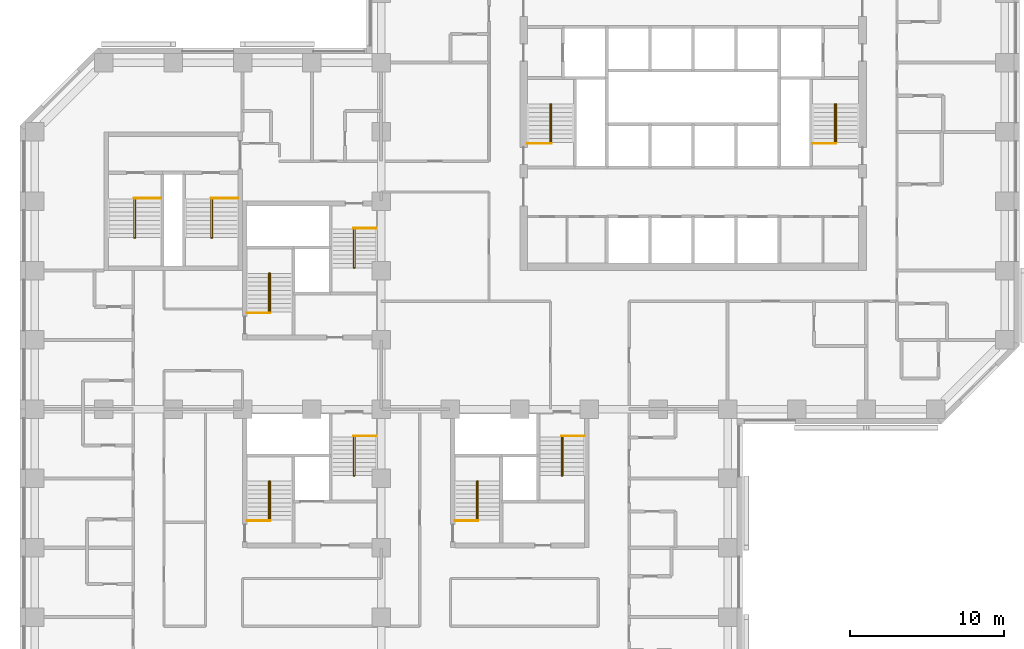
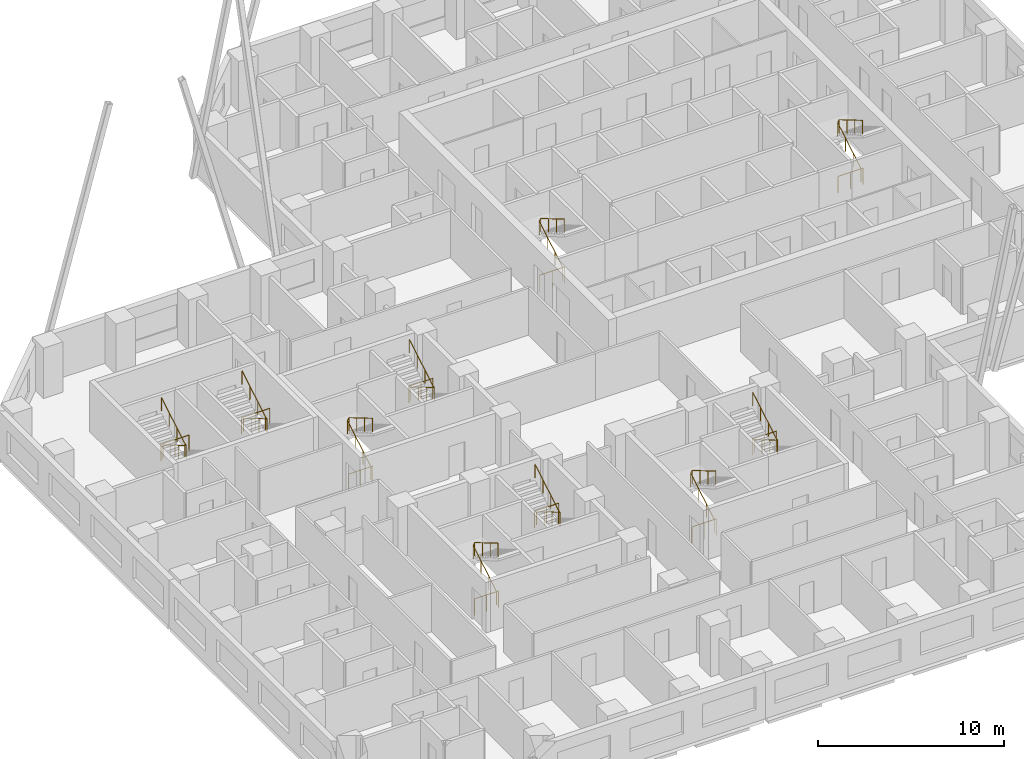
# One storey, part 14 of 14: 20 railings.
"""IFC4 building model written with IfcOpenShell, lengths in metres."""

from ifc_helpers import new_model, si_unit, direction, frame, origin, origin_2d, place, context, subcontext, project, spatial, circle, extrude, material, type_object, element, save


model = new_model("IFC4")

# Units and contexts
model_context = context("Model", 3, precision=1e-05, world=origin(), true_north=direction((0.0, 1.0)))
body_context = subcontext(model_context, "Body", "Model", "MODEL_VIEW")
ifc_project = project(units=[si_unit("LENGTHUNIT", "METRE"), si_unit("AREAUNIT", "SQUARE_METRE"), si_unit("VOLUMEUNIT", "CUBIC_METRE"), si_unit("PLANEANGLEUNIT", "RADIAN"), si_unit("MASSUNIT", "GRAM", prefix="KILO")], contexts=[model_context])

# Site, building, storey
site_placement = place(None, origin())
site = spatial("IfcSite", under=ifc_project, at=site_placement, CompositionType="ELEMENT")
building_placement = place(site_placement, origin())
building = spatial("IfcBuilding", under=site, at=building_placement, Name="Quoin Convention Tower", CompositionType="ELEMENT")
storey_placement = place(building_placement, frame((0.0, 0.0, 66.0)))
storey = spatial("IfcBuildingStorey", under=building, at=storey_placement, Name="L17", CompositionType="ELEMENT", Elevation=66.0)

# Railings
ifc_material = material(Name="Stainless steel", Category="steel")
railing_type_1 = type_object("IfcRailingType", Name="Stair handrail 900", PredefinedType="HANDRAIL", material=ifc_material)
for number, where, name in (
    (1, (46.955078125, 57.800048828125, 0.1650390625), "SD1 handrail 1"),
    (2, (65.455078125, 57.800048828125, 0.1650390625), "SD2 handrail 1"),
    (3, (28.705078125, 46.800048828125, 0.1650390625), "SD3 handrail 1"),
):
    element("IfcRailing", number, at=place(storey_placement, frame(where)), inside=storey, type_object=railing_type_1, Name=name, PredefinedType="HANDRAIL", context=body_context, shape_type="SweptSolid", body=[
        extrude(circle(Radius=0.02392578125, at=origin_2d()), frame((0.0, 0.0, 0.8759765625), z_axis=(0.0, 0.861560626758, 0.507654692109), x_axis=(-1.0, 0.0, 0.0)), (0.0, 0.0, 1.0), 2.925048828125),
        extrude(circle(Radius=0.02392578125, at=origin_2d()), frame((0.0, 2.52001953125, 2.36083984375), z_axis=(0.478123724308, 0.0, 0.878292493566), x_axis=(0.0, 1.0, 0.0)), (0.0, 0.0, 1.0), 0.18798828125),
        extrude(circle(Radius=0.02392578125, at=origin_2d()), frame((0.08984375, 2.52001953125, 2.52587890625), z_axis=(0.0, -0.86152411907, 0.507716645641), x_axis=(1.0, 0.0, 0.0)), (0.0, 0.0, 1.0), 2.925048828125),
        extrude(circle(Radius=0.02099609375, at=origin_2d()), origin(), (0.0, 0.0, 1.0), 0.851806640625),
        extrude(circle(Radius=0.02099609375, at=origin_2d()), frame((0.0, 0.840087890625, 0.494873046875)), (0.0, 0.0, 1.0), 0.851806640625),
        extrude(circle(Radius=0.02099609375, at=origin_2d()), frame((0.0, 1.679931640625, 0.989990234375)), (0.0, 0.0, 1.0), 0.851806640625),
        extrude(circle(Radius=0.02099609375, at=origin_2d()), frame((0.0, 2.52001953125, 1.48486328125)), (0.0, 0.0, 1.0), 0.851806640625),
        extrude(circle(Radius=0.02099609375, at=origin_2d()), frame((0.08984375, 2.52001953125, 1.64990234375)), (0.0, 0.0, 1.0), 0.851806640625),
        extrude(circle(Radius=0.02099609375, at=origin_2d()), frame((0.08984375, 1.679931640625, 2.14501953125)), (0.0, 0.0, 1.0), 0.851806640625),
        extrude(circle(Radius=0.02099609375, at=origin_2d()), frame((0.08984375, 0.840087890625, 2.639892578125)), (0.0, 0.0, 1.0), 0.851806640625),
        extrude(circle(Radius=0.02099609375, at=origin_2d()), frame((0.08984375, 0.0, 3.135009765625)), (0.0, 0.0, 1.0), 0.851806640625),
    ])
railing_1_placement = place(storey_placement, frame((34.294921875, 52.199951171875, 0.1650390625)))
element("IfcRailing", 4, at=railing_1_placement, inside=storey, type_object=railing_type_1, Name="SD4 handrail 1", PredefinedType="HANDRAIL", context=body_context, shape_type="SweptSolid", body=[
    extrude(circle(Radius=0.02392578125, at=origin_2d()), frame((0.0, 0.0, 0.8759765625), z_axis=(0.0, -0.861560626758, 0.507654692109), x_axis=(1.0, 0.0, 0.0)), (0.0, 0.0, 1.0), 2.925048828125),
    extrude(circle(Radius=0.02392578125, at=origin_2d()), frame((0.0, -2.52001953125, 2.36083984375), z_axis=(-0.478123724308, 0.0, 0.878292493566), x_axis=(0.0, -1.0, 0.0)), (0.0, 0.0, 1.0), 0.18798828125),
    extrude(circle(Radius=0.02392578125, at=origin_2d()), frame((-0.08984375, -2.52001953125, 2.52587890625), z_axis=(0.0, 0.86152411907, 0.507716645641), x_axis=(-1.0, 0.0, 0.0)), (0.0, 0.0, 1.0), 2.925048828125),
    extrude(circle(Radius=0.02099609375, at=origin_2d()), origin(), (0.0, 0.0, 1.0), 0.851806640625),
    extrude(circle(Radius=0.02099609375, at=origin_2d()), frame((0.0, -0.840087890625, 0.494873046875)), (0.0, 0.0, 1.0), 0.851806640625),
    extrude(circle(Radius=0.02099609375, at=origin_2d()), frame((0.0, -1.679931640625, 0.989990234375)), (0.0, 0.0, 1.0), 0.851806640625),
    extrude(circle(Radius=0.02099609375, at=origin_2d()), frame((0.0, -2.52001953125, 1.48486328125)), (0.0, 0.0, 1.0), 0.851806640625),
    extrude(circle(Radius=0.02099609375, at=origin_2d()), frame((-0.08984375, -2.52001953125, 1.64990234375)), (0.0, 0.0, 1.0), 0.851806640625),
    extrude(circle(Radius=0.02099609375, at=origin_2d()), frame((-0.08984375, -1.679931640625, 2.14501953125)), (0.0, 0.0, 1.0), 0.851806640625),
    extrude(circle(Radius=0.02099609375, at=origin_2d()), frame((-0.08984375, -0.840087890625, 2.639892578125)), (0.0, 0.0, 1.0), 0.851806640625),
    extrude(circle(Radius=0.02099609375, at=origin_2d()), frame((-0.08984375, 0.0, 3.135009765625)), (0.0, 0.0, 1.0), 0.851806640625),
])
railing_2_placement = place(storey_placement, frame((42.205078125, 33.300048828125, 0.1650390625)))
element("IfcRailing", 5, at=railing_2_placement, inside=storey, type_object=railing_type_1, Name="SD5 handrail 1", PredefinedType="HANDRAIL", context=body_context, shape_type="SweptSolid", body=[
    extrude(circle(Radius=0.02392578125, at=origin_2d()), frame((0.0, 0.0, 0.8759765625), z_axis=(0.0, 0.861560626758, 0.507654692109), x_axis=(-1.0, 0.0, 0.0)), (0.0, 0.0, 1.0), 2.925048828125),
    extrude(circle(Radius=0.02392578125, at=origin_2d()), frame((0.0, 2.52001953125, 2.36083984375), z_axis=(0.478123724308, 0.0, 0.878292493566), x_axis=(0.0, 1.0, 0.0)), (0.0, 0.0, 1.0), 0.18798828125),
    extrude(circle(Radius=0.02392578125, at=origin_2d()), frame((0.08984375, 2.52001953125, 2.52587890625), z_axis=(0.0, -0.86152411907, 0.507716645641), x_axis=(1.0, 0.0, 0.0)), (0.0, 0.0, 1.0), 2.925048828125),
    extrude(circle(Radius=0.02099609375, at=origin_2d()), origin(), (0.0, 0.0, 1.0), 0.851806640625),
    extrude(circle(Radius=0.02099609375, at=origin_2d()), frame((0.0, 0.840087890625, 0.494873046875)), (0.0, 0.0, 1.0), 0.851806640625),
    extrude(circle(Radius=0.02099609375, at=origin_2d()), frame((0.0, 1.679931640625, 0.989990234375)), (0.0, 0.0, 1.0), 0.851806640625),
    extrude(circle(Radius=0.02099609375, at=origin_2d()), frame((0.0, 2.52001953125, 1.48486328125)), (0.0, 0.0, 1.0), 0.851806640625),
    extrude(circle(Radius=0.02099609375, at=origin_2d()), frame((0.08984375, 2.52001953125, 1.64990234375)), (0.0, 0.0, 1.0), 0.851806640625),
    extrude(circle(Radius=0.02099609375, at=origin_2d()), frame((0.08984375, 1.679931640625, 2.14501953125)), (0.0, 0.0, 1.0), 0.851806640625),
    extrude(circle(Radius=0.02099609375, at=origin_2d()), frame((0.08984375, 0.840087890625, 2.639892578125)), (0.0, 0.0, 1.0), 0.851806640625),
    extrude(circle(Radius=0.02099609375, at=origin_2d()), frame((0.08984375, 0.0, 3.135009765625)), (0.0, 0.0, 1.0), 0.851806640625),
])
railing_3_placement = place(storey_placement, frame((47.794921875, 38.699951171875, 0.1650390625)))
element("IfcRailing", 6, at=railing_3_placement, inside=storey, type_object=railing_type_1, Name="SD6 handrail 1", PredefinedType="HANDRAIL", context=body_context, shape_type="SweptSolid", body=[
    extrude(circle(Radius=0.02392578125, at=origin_2d()), frame((0.0, 0.0, 0.8759765625), z_axis=(0.0, -0.861560626758, 0.507654692109), x_axis=(1.0, 0.0, 0.0)), (0.0, 0.0, 1.0), 2.925048828125),
    extrude(circle(Radius=0.02392578125, at=origin_2d()), frame((0.0, -2.52001953125, 2.36083984375), z_axis=(-0.478123724308, 0.0, 0.878292493566), x_axis=(0.0, -1.0, 0.0)), (0.0, 0.0, 1.0), 0.18798828125),
    extrude(circle(Radius=0.02392578125, at=origin_2d()), frame((-0.08984375, -2.52001953125, 2.52587890625), z_axis=(0.0, 0.86152411907, 0.507716645641), x_axis=(-1.0, 0.0, 0.0)), (0.0, 0.0, 1.0), 2.925048828125),
    extrude(circle(Radius=0.02099609375, at=origin_2d()), origin(), (0.0, 0.0, 1.0), 0.851806640625),
    extrude(circle(Radius=0.02099609375, at=origin_2d()), frame((0.0, -0.840087890625, 0.494873046875)), (0.0, 0.0, 1.0), 0.851806640625),
    extrude(circle(Radius=0.02099609375, at=origin_2d()), frame((0.0, -1.679931640625, 0.989990234375)), (0.0, 0.0, 1.0), 0.851806640625),
    extrude(circle(Radius=0.02099609375, at=origin_2d()), frame((0.0, -2.52001953125, 1.48486328125)), (0.0, 0.0, 1.0), 0.851806640625),
    extrude(circle(Radius=0.02099609375, at=origin_2d()), frame((-0.08984375, -2.52001953125, 1.64990234375)), (0.0, 0.0, 1.0), 0.851806640625),
    extrude(circle(Radius=0.02099609375, at=origin_2d()), frame((-0.08984375, -1.679931640625, 2.14501953125)), (0.0, 0.0, 1.0), 0.851806640625),
    extrude(circle(Radius=0.02099609375, at=origin_2d()), frame((-0.08984375, -0.840087890625, 2.639892578125)), (0.0, 0.0, 1.0), 0.851806640625),
    extrude(circle(Radius=0.02099609375, at=origin_2d()), frame((-0.08984375, 0.0, 3.135009765625)), (0.0, 0.0, 1.0), 0.851806640625),
])
railing_4_placement = place(storey_placement, frame((28.705078125, 33.300048828125, 0.1650390625)))
element("IfcRailing", 7, at=railing_4_placement, inside=storey, type_object=railing_type_1, Name="SD7 handrail 1", PredefinedType="HANDRAIL", context=body_context, shape_type="SweptSolid", body=[
    extrude(circle(Radius=0.02392578125, at=origin_2d()), frame((0.0, 0.0, 0.8759765625), z_axis=(0.0, 0.861560626758, 0.507654692109), x_axis=(-1.0, 0.0, 0.0)), (0.0, 0.0, 1.0), 2.925048828125),
    extrude(circle(Radius=0.02392578125, at=origin_2d()), frame((0.0, 2.52001953125, 2.36083984375), z_axis=(0.478123724308, 0.0, 0.878292493566), x_axis=(0.0, 1.0, 0.0)), (0.0, 0.0, 1.0), 0.18798828125),
    extrude(circle(Radius=0.02392578125, at=origin_2d()), frame((0.08984375, 2.52001953125, 2.52587890625), z_axis=(0.0, -0.86152411907, 0.507716645641), x_axis=(1.0, 0.0, 0.0)), (0.0, 0.0, 1.0), 2.925048828125),
    extrude(circle(Radius=0.02099609375, at=origin_2d()), origin(), (0.0, 0.0, 1.0), 0.851806640625),
    extrude(circle(Radius=0.02099609375, at=origin_2d()), frame((0.0, 0.840087890625, 0.494873046875)), (0.0, 0.0, 1.0), 0.851806640625),
    extrude(circle(Radius=0.02099609375, at=origin_2d()), frame((0.0, 1.679931640625, 0.989990234375)), (0.0, 0.0, 1.0), 0.851806640625),
    extrude(circle(Radius=0.02099609375, at=origin_2d()), frame((0.0, 2.52001953125, 1.48486328125)), (0.0, 0.0, 1.0), 0.851806640625),
    extrude(circle(Radius=0.02099609375, at=origin_2d()), frame((0.08984375, 2.52001953125, 1.64990234375)), (0.0, 0.0, 1.0), 0.851806640625),
    extrude(circle(Radius=0.02099609375, at=origin_2d()), frame((0.08984375, 1.679931640625, 2.14501953125)), (0.0, 0.0, 1.0), 0.851806640625),
    extrude(circle(Radius=0.02099609375, at=origin_2d()), frame((0.08984375, 0.840087890625, 2.639892578125)), (0.0, 0.0, 1.0), 0.851806640625),
    extrude(circle(Radius=0.02099609375, at=origin_2d()), frame((0.08984375, 0.0, 3.135009765625)), (0.0, 0.0, 1.0), 0.851806640625),
])
for number, where, name in (
    (8, (34.294921875, 38.699951171875, 0.1650390625), "SD8 handrail 1"),
    (9, (20.044921875, 54.14990234375, 0.1650390625), "SD11 handrail 1"),
    (10, (25.044921875, 54.14990234375, 0.1650390625), "SD12 handrail 1"),
):
    element("IfcRailing", number, at=place(storey_placement, frame(where)), inside=storey, type_object=railing_type_1, Name=name, PredefinedType="HANDRAIL", context=body_context, shape_type="SweptSolid", body=[
        extrude(circle(Radius=0.02392578125, at=origin_2d()), frame((0.0, 0.0, 0.8759765625), z_axis=(0.0, -0.861560626758, 0.507654692109), x_axis=(1.0, 0.0, 0.0)), (0.0, 0.0, 1.0), 2.925048828125),
        extrude(circle(Radius=0.02392578125, at=origin_2d()), frame((0.0, -2.52001953125, 2.36083984375), z_axis=(-0.478123724308, 0.0, 0.878292493566), x_axis=(0.0, -1.0, 0.0)), (0.0, 0.0, 1.0), 0.18798828125),
        extrude(circle(Radius=0.02392578125, at=origin_2d()), frame((-0.08984375, -2.52001953125, 2.52587890625), z_axis=(0.0, 0.86152411907, 0.507716645641), x_axis=(-1.0, 0.0, 0.0)), (0.0, 0.0, 1.0), 2.925048828125),
        extrude(circle(Radius=0.02099609375, at=origin_2d()), origin(), (0.0, 0.0, 1.0), 0.851806640625),
        extrude(circle(Radius=0.02099609375, at=origin_2d()), frame((0.0, -0.840087890625, 0.494873046875)), (0.0, 0.0, 1.0), 0.851806640625),
        extrude(circle(Radius=0.02099609375, at=origin_2d()), frame((0.0, -1.679931640625, 0.989990234375)), (0.0, 0.0, 1.0), 0.851806640625),
        extrude(circle(Radius=0.02099609375, at=origin_2d()), frame((0.0, -2.52001953125, 1.48486328125)), (0.0, 0.0, 1.0), 0.851806640625),
        extrude(circle(Radius=0.02099609375, at=origin_2d()), frame((-0.08984375, -2.52001953125, 1.64990234375)), (0.0, 0.0, 1.0), 0.851806640625),
        extrude(circle(Radius=0.02099609375, at=origin_2d()), frame((-0.08984375, -1.679931640625, 2.14501953125)), (0.0, 0.0, 1.0), 0.851806640625),
        extrude(circle(Radius=0.02099609375, at=origin_2d()), frame((-0.08984375, -0.840087890625, 2.639892578125)), (0.0, 0.0, 1.0), 0.851806640625),
        extrude(circle(Radius=0.02099609375, at=origin_2d()), frame((-0.08984375, 0.0, 3.135009765625)), (0.0, 0.0, 1.0), 0.851806640625),
    ])
railing_type_2 = type_object("IfcRailingType", Name="Stair top guard 1100", PredefinedType="GUARDRAIL", material=ifc_material)
for number, where, name in (
    (11, (45.5, 57.75, 0.0), "SD1 top guard"),
    (12, (64.0, 57.75, 0.0), "SD2 top guard"),
):
    element("IfcRailing", number, at=place(storey_placement, frame(where)), inside=storey, type_object=railing_type_2, Name=name, PredefinedType="GUARDRAIL", context=body_context, shape_type="SweptSolid", body=[
        extrude(circle(Radius=0.02392578125, at=origin_2d()), frame((0.0, 0.0, 1.076171875), z_axis=(1.0, 0.0, 0.0), x_axis=(0.0, 1.0, 0.0)), (0.0, 0.0, 1.0), 1.544921875),
        extrude(circle(Radius=0.02099609375, at=origin_2d()), origin(), (0.0, 0.0, 1.0), 1.052001953125),
        extrude(circle(Radius=0.02099609375, at=origin_2d()), frame((0.7724609375, 0.0, 0.0)), (0.0, 0.0, 1.0), 1.052001953125),
        extrude(circle(Radius=0.02099609375, at=origin_2d()), frame((1.544921875, 0.0, 0.0)), (0.0, 0.0, 1.0), 1.052001953125),
    ])
railing_5_placement = place(storey_placement, frame((27.300048828125, 46.75, 0.0)))
element("IfcRailing", 13, at=railing_5_placement, inside=storey, type_object=railing_type_2, Name="SD3 top guard", PredefinedType="GUARDRAIL", context=body_context, shape_type="SweptSolid", body=[
    extrude(circle(Radius=0.02392578125, at=origin_2d()), frame((0.0, 0.0, 1.076171875), z_axis=(1.0, 0.0, 0.0), x_axis=(0.0, 1.0, 0.0)), (0.0, 0.0, 1.0), 1.494873046875),
    extrude(circle(Radius=0.02099609375, at=origin_2d()), origin(), (0.0, 0.0, 1.0), 1.052001953125),
    extrude(circle(Radius=0.02099609375, at=origin_2d()), frame((0.74755859375, 0.0, 0.0)), (0.0, 0.0, 1.0), 1.052001953125),
    extrude(circle(Radius=0.02099609375, at=origin_2d()), frame((1.494873046875, 0.0, 0.0)), (0.0, 0.0, 1.0), 1.052001953125),
])
railing_6_placement = place(storey_placement, frame((35.699951171875, 52.25, 0.0)))
element("IfcRailing", 14, at=railing_6_placement, inside=storey, type_object=railing_type_2, Name="SD4 top guard", PredefinedType="GUARDRAIL", context=body_context, shape_type="SweptSolid", body=[
    extrude(circle(Radius=0.02392578125, at=origin_2d()), frame((0.0, 0.0, 1.076171875), z_axis=(-1.0, 0.0, 0.0), x_axis=(0.0, -1.0, 0.0)), (0.0, 0.0, 1.0), 1.494873046875),
    extrude(circle(Radius=0.02099609375, at=origin_2d()), origin(), (0.0, 0.0, 1.0), 1.052001953125),
    extrude(circle(Radius=0.02099609375, at=origin_2d()), frame((-0.74755859375, 0.0, 0.0)), (0.0, 0.0, 1.0), 1.052001953125),
    extrude(circle(Radius=0.02099609375, at=origin_2d()), frame((-1.494873046875, 0.0, 0.0)), (0.0, 0.0, 1.0), 1.052001953125),
])
railing_7_placement = place(storey_placement, frame((40.800048828125, 33.25, 0.0)))
element("IfcRailing", 15, at=railing_7_placement, inside=storey, type_object=railing_type_2, Name="SD5 top guard", PredefinedType="GUARDRAIL", context=body_context, shape_type="SweptSolid", body=[
    extrude(circle(Radius=0.02392578125, at=origin_2d()), frame((0.0, 0.0, 1.076171875), z_axis=(1.0, 0.0, 0.0), x_axis=(0.0, 1.0, 0.0)), (0.0, 0.0, 1.0), 1.494873046875),
    extrude(circle(Radius=0.02099609375, at=origin_2d()), origin(), (0.0, 0.0, 1.0), 1.052001953125),
    extrude(circle(Radius=0.02099609375, at=origin_2d()), frame((0.74755859375, 0.0, 0.0)), (0.0, 0.0, 1.0), 1.052001953125),
    extrude(circle(Radius=0.02099609375, at=origin_2d()), frame((1.494873046875, 0.0, 0.0)), (0.0, 0.0, 1.0), 1.052001953125),
])
railing_8_placement = place(storey_placement, frame((49.199951171875, 38.75, 0.0)))
element("IfcRailing", 16, at=railing_8_placement, inside=storey, type_object=railing_type_2, Name="SD6 top guard", PredefinedType="GUARDRAIL", context=body_context, shape_type="SweptSolid", body=[
    extrude(circle(Radius=0.02392578125, at=origin_2d()), frame((0.0, 0.0, 1.076171875), z_axis=(-1.0, 0.0, 0.0), x_axis=(0.0, -1.0, 0.0)), (0.0, 0.0, 1.0), 1.494873046875),
    extrude(circle(Radius=0.02099609375, at=origin_2d()), origin(), (0.0, 0.0, 1.0), 1.052001953125),
    extrude(circle(Radius=0.02099609375, at=origin_2d()), frame((-0.74755859375, 0.0, 0.0)), (0.0, 0.0, 1.0), 1.052001953125),
    extrude(circle(Radius=0.02099609375, at=origin_2d()), frame((-1.494873046875, 0.0, 0.0)), (0.0, 0.0, 1.0), 1.052001953125),
])
railing_9_placement = place(storey_placement, frame((27.300048828125, 33.25, 0.0)))
element("IfcRailing", 17, at=railing_9_placement, inside=storey, type_object=railing_type_2, Name="SD7 top guard", PredefinedType="GUARDRAIL", context=body_context, shape_type="SweptSolid", body=[
    extrude(circle(Radius=0.02392578125, at=origin_2d()), frame((0.0, 0.0, 1.076171875), z_axis=(1.0, 0.0, 0.0), x_axis=(0.0, 1.0, 0.0)), (0.0, 0.0, 1.0), 1.494873046875),
    extrude(circle(Radius=0.02099609375, at=origin_2d()), origin(), (0.0, 0.0, 1.0), 1.052001953125),
    extrude(circle(Radius=0.02099609375, at=origin_2d()), frame((0.74755859375, 0.0, 0.0)), (0.0, 0.0, 1.0), 1.052001953125),
    extrude(circle(Radius=0.02099609375, at=origin_2d()), frame((1.494873046875, 0.0, 0.0)), (0.0, 0.0, 1.0), 1.052001953125),
])
railing_10_placement = place(storey_placement, frame((35.699951171875, 38.75, 0.0)))
element("IfcRailing", 18, at=railing_10_placement, inside=storey, type_object=railing_type_2, Name="SD8 top guard", PredefinedType="GUARDRAIL", context=body_context, shape_type="SweptSolid", body=[
    extrude(circle(Radius=0.02392578125, at=origin_2d()), frame((0.0, 0.0, 1.076171875), z_axis=(-1.0, 0.0, 0.0), x_axis=(0.0, -1.0, 0.0)), (0.0, 0.0, 1.0), 1.494873046875),
    extrude(circle(Radius=0.02099609375, at=origin_2d()), origin(), (0.0, 0.0, 1.0), 1.052001953125),
    extrude(circle(Radius=0.02099609375, at=origin_2d()), frame((-0.74755859375, 0.0, 0.0)), (0.0, 0.0, 1.0), 1.052001953125),
    extrude(circle(Radius=0.02099609375, at=origin_2d()), frame((-1.494873046875, 0.0, 0.0)), (0.0, 0.0, 1.0), 1.052001953125),
])
for number, where, name in (
    (19, (21.699951171875, 54.199951171875, 0.0), "SD11 top guard"),
    (20, (26.699951171875, 54.199951171875, 0.0), "SD12 top guard"),
):
    element("IfcRailing", number, at=place(storey_placement, frame(where)), inside=storey, type_object=railing_type_2, Name=name, PredefinedType="GUARDRAIL", context=body_context, shape_type="SweptSolid", body=[
        extrude(circle(Radius=0.02392578125, at=origin_2d()), frame((0.0, 0.0, 1.076171875), z_axis=(-1.0, 0.0, 0.0), x_axis=(0.0, -1.0, 0.0)), (0.0, 0.0, 1.0), 1.744873046875),
        extrude(circle(Radius=0.02099609375, at=origin_2d()), origin(), (0.0, 0.0, 1.0), 1.052001953125),
        extrude(circle(Radius=0.02099609375, at=origin_2d()), frame((-0.87255859375, 0.0, 0.0)), (0.0, 0.0, 1.0), 1.052001953125),
        extrude(circle(Radius=0.02099609375, at=origin_2d()), frame((-1.744873046875, 0.0, 0.0)), (0.0, 0.0, 1.0), 1.052001953125),
    ])

save(model, "model.ifc")
